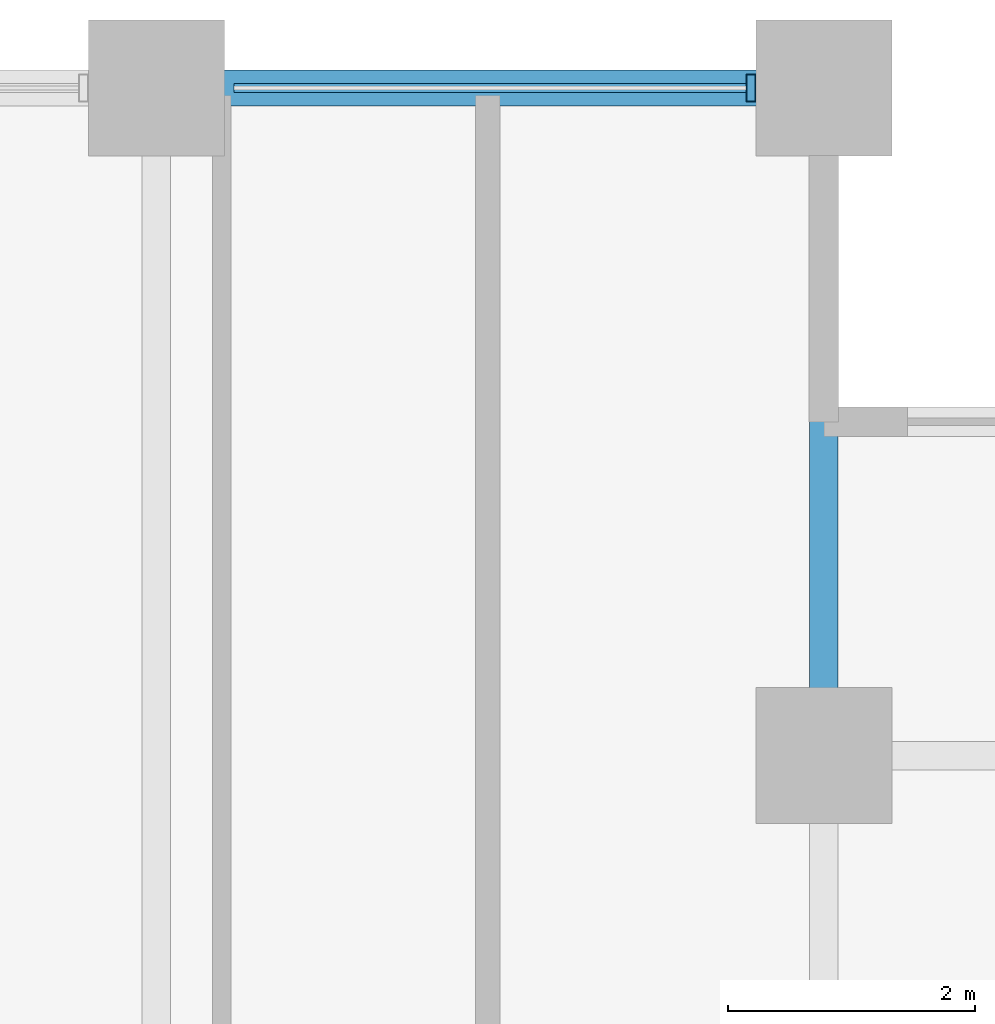
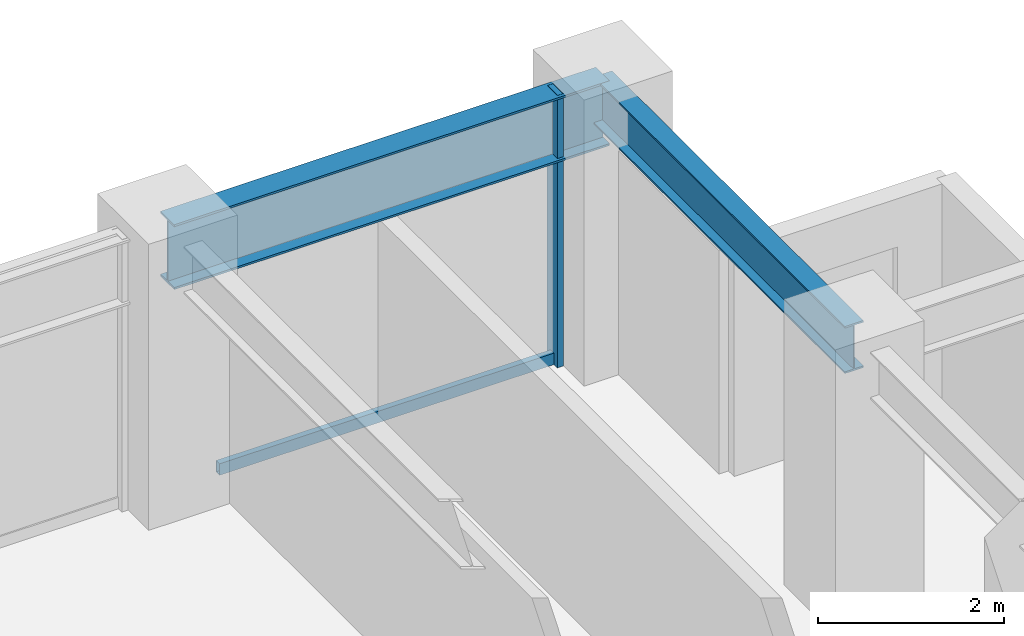
# One storey, part 16 of 25: 2 beams, 2 members, 1 element without a shape of its own.
"""IFC4 building model written with IfcOpenShell, lengths in metres."""

from ifc_helpers import new_model, si_unit, direction, frame, origin, origin_2d, place, context, subcontext, project, spatial, hollow_rectangle, i_section, extrude, material, layer, layer_set, material_profile, profile_set, type_object, element, aggregate, save


model = new_model("IFC4")

# Units and contexts
model_context = context("Model", 3, precision=1e-05, world=origin(), true_north=direction((0.0, 1.0)))
body_context = subcontext(model_context, "Body", "Model", "MODEL_VIEW")
ifc_project = project(units=[si_unit("LENGTHUNIT", "METRE"), si_unit("AREAUNIT", "SQUARE_METRE"), si_unit("VOLUMEUNIT", "CUBIC_METRE"), si_unit("PLANEANGLEUNIT", "RADIAN"), si_unit("MASSUNIT", "GRAM", prefix="KILO")], contexts=[model_context])

# Site, building, storey
site_placement = place(None, origin())
site = spatial("IfcSite", under=ifc_project, at=site_placement, CompositionType="ELEMENT")
building_placement = place(site_placement, origin())
building = spatial("IfcBuilding", under=site, at=building_placement, Name="Surkhivell Harbour Commons", CompositionType="ELEMENT")
storey_placement = place(building_placement, frame((0.0, 0.0, 94.5)))
storey = spatial("IfcBuildingStorey", under=building, at=storey_placement, Name="L24", CompositionType="ELEMENT", Elevation=94.5)

# Beams
ifc_material_1 = material(Name="Steel S355", Category="steel")
ifc_material_profile_1 = material_profile(ifc_material_1, i_section(OverallWidth=0.22998046875, OverallDepth=0.616943359375, WebThickness=0.01318359375, FlangeThickness=0.022216796875, at=origin_2d()), Name="UB610x229x140")
ifc_profile_set_1 = profile_set([ifc_material_profile_1], Name="Steel S355")
beam_type_1 = type_object("IfcBeamType", Name="BM-GRD-610B", PredefinedType="BEAM", material=ifc_profile_set_1)
beam_1_placement = place(storey_placement, frame((16.199951171875, 20.5, 3.261474609375), z_axis=(0.0, 1.0, 0.0), x_axis=(-1.0, 0.0, 0.0)))
element("IfcBeam", 1, at=beam_1_placement, inside=storey, type_object=beam_type_1, Name="L24 Floor Girder (16.2,20.5)", PredefinedType="BEAM", context=body_context, shape_type="SweptSolid", body=[
    extrude(i_section(OverallWidth=0.22998046875, OverallDepth=0.616943359375, WebThickness=0.01318359375, FlangeThickness=0.022216796875, at=origin_2d()), origin(), (0.0, 0.0, 1.0), 5.39990234375),
])
ifc_material_2 = material(Name="Steel S460", Category="steel")
ifc_material_profile_2 = material_profile(ifc_material_2, i_section(OverallWidth=0.2939453125, OverallDepth=0.85107421875, WebThickness=0.01611328125, FlangeThickness=0.02685546875, at=origin_2d()), Name="UB838x292x226")
ifc_profile_set_2 = profile_set([ifc_material_profile_2], Name="Steel S460")
beam_type_2 = type_object("IfcBeamType", Name="BM-SPN-838", PredefinedType="SPANDREL", material=ifc_profile_set_2)
beam_2_placement = place(storey_placement, frame((10.800048828125, 25.89990234375, 3.14453125), z_axis=(1.0, 0.0, 0.0), x_axis=(0.0, 1.0, 0.0)))
element("IfcBeam", 2, at=beam_2_placement, inside=storey, type_object=beam_type_2, Name="L24 Tube Spandrel (10.8,25.9)", PredefinedType="SPANDREL", context=body_context, shape_type="SweptSolid", body=[
    extrude(i_section(OverallWidth=0.2939453125, OverallDepth=0.85107421875, WebThickness=0.01611328125, FlangeThickness=0.02685546875, at=origin_2d()), origin(), (0.0, 0.0, 1.0), 5.39990234375),
])

# Curtain wall, members
ifc_material_3 = material(Name="Anodised pale-metal aluminium and insulated glazing", Category="aluminium")
ifc_layer = layer(ifc_material_3, 0.205078125)
ifc_layer_set = layer_set([ifc_layer], Name="Anodised pale-metal aluminium and insulated glazing")
curtain_wall_type = type_object("IfcCurtainWallType", Name="CW-SYS-Z2", PredefinedType="NOTDEFINED", material=ifc_layer_set)
curtain_wall_placement = place(storey_placement, origin())
curtain_wall = element("IfcCurtainWall", 3, at=curtain_wall_placement, inside=storey, type_object=curtain_wall_type, Name="L24 Curtain Wall CW-L24-E07S1", PredefinedType="NOTDEFINED")
ifc_material_4 = material(Name="Anodised pale-metal aluminium alloy 6063-T6", Category="aluminium")
ifc_material_profile_3 = material_profile(ifc_material_4, hollow_rectangle(XDim=0.074951171875, YDim=0.219970703125, WallThickness=0.00390625, at=origin_2d()), Name="ALU-MULL-75x220")
ifc_profile_set_3 = profile_set([ifc_material_profile_3], Name="Anodised pale-metal aluminium alloy 6063-T6")
member_type_1 = type_object("IfcMemberType", Name="CWM-220", PredefinedType="MULLION", material=ifc_profile_set_3)
member_1_placement = place(storey_placement, frame((15.610595703125, 25.89990234375, 0.0), z_axis=(0.0, 0.0, 1.0), x_axis=(-1.0, 0.0, 0.0)))
member_1 = element("IfcMember", 4, at=member_1_placement, type_object=member_type_1, Name="CW-Z2 mullion 1", PredefinedType="MULLION", context=body_context, shape_type="SweptSolid", body=[
    extrude(hollow_rectangle(XDim=0.074951171875, YDim=0.219970703125, WallThickness=0.00390625, at=origin_2d()), origin(), (0.0, 0.0, 1.0), 3.570068359375),
])
ifc_material_profile_4 = material_profile(ifc_material_4, hollow_rectangle(XDim=0.074951171875, YDim=0.14990234375, WallThickness=0.00341796875, at=origin_2d()), Name="ALU-TRAN-75x150")
ifc_profile_set_4 = profile_set([ifc_material_profile_4], Name="Anodised pale-metal aluminium alloy 6063-T6")
member_type_2 = type_object("IfcMemberType", Name="CWT-150", PredefinedType="USERDEFINED", material=ifc_profile_set_4)
member_2_placement = place(storey_placement, frame((15.572998046875, 25.89990234375, 0.074951171875), z_axis=(-1.0, 0.0, 0.0), x_axis=(0.0, -1.0, 0.0)))
member_2 = element("IfcMember", 5, at=member_2_placement, type_object=member_type_2, Name="CW-Z2 transom 1.1", ObjectType="TRANSOM", PredefinedType="USERDEFINED", context=body_context, shape_type="SweptSolid", body=[
    extrude(hollow_rectangle(XDim=0.074951171875, YDim=0.14990234375, WallThickness=0.00341796875, at=origin_2d()), origin(), (0.0, 0.0, 1.0), 4.14599609375),
])
aggregate(curtain_wall, [member_1, member_2])

save(model, "model.ifc")
